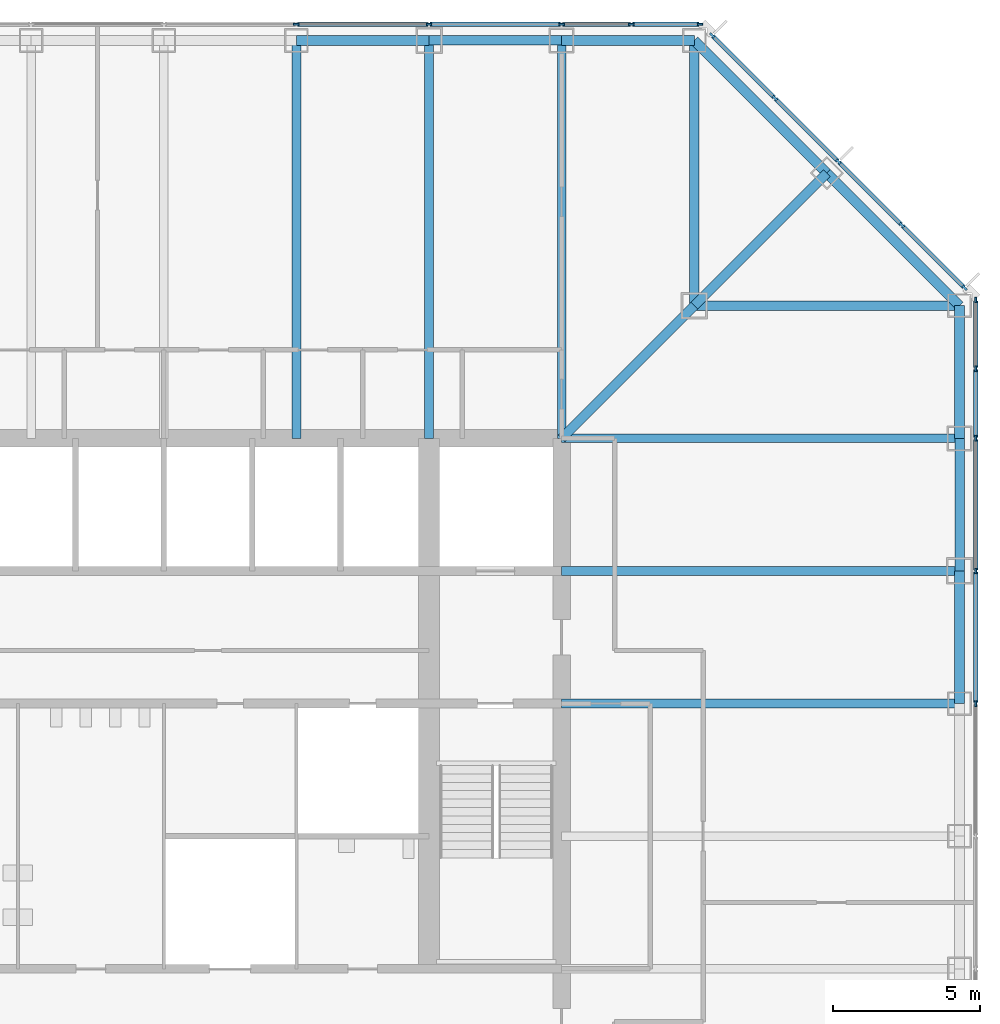
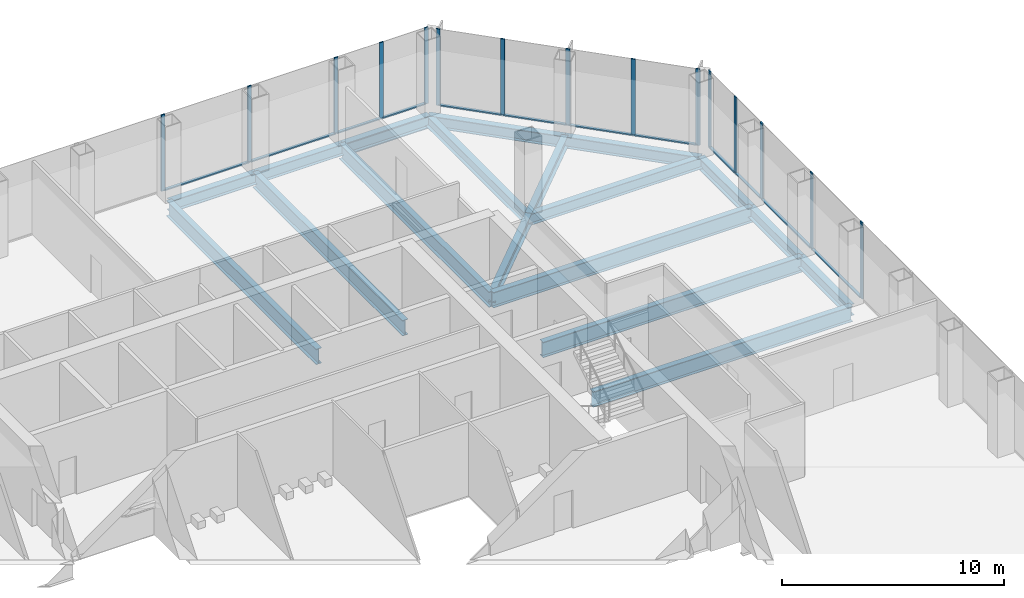
# One storey, part 6 of 13: 27 members, 18 beams, 3 elements without a shape of their own.
"""IFC4 building model written with IfcOpenShell, lengths in metres."""

from ifc_helpers import new_model, si_unit, direction, frame, origin, origin_2d, place, context, subcontext, project, spatial, rectangle, i_section, extrude, material, material_profile, profile_set, type_object, element, aggregate, save


model = new_model("IFC4")

# Units and contexts
model_context = context("Model", 3, precision=1e-05, world=origin(), true_north=direction((0.0, 1.0)))
body_context = subcontext(model_context, "Body", "Model", "MODEL_VIEW")
ifc_project = project(units=[si_unit("LENGTHUNIT", "METRE"), si_unit("AREAUNIT", "SQUARE_METRE"), si_unit("VOLUMEUNIT", "CUBIC_METRE"), si_unit("PLANEANGLEUNIT", "RADIAN"), si_unit("MASSUNIT", "GRAM", prefix="KILO")], contexts=[model_context])

# Site, building, storey
site_placement = place(None, origin())
site = spatial("IfcSite", under=ifc_project, at=site_placement, CompositionType="ELEMENT")
building_placement = place(site_placement, origin())
building = spatial("IfcBuilding", under=site, at=building_placement, Name="Corais Broadcast Tower", CompositionType="ELEMENT")
storey_placement = place(building_placement, frame((0.0, 0.0, 66.800048828125)))
storey = spatial("IfcBuildingStorey", under=building, at=storey_placement, Name="L14", CompositionType="ELEMENT", Elevation=66.800048828125)

# Beams
ifc_material_1 = material(Name="Steel ASTM A572 Grade 50", Category="steel")
ifc_material_profile_1 = material_profile(ifc_material_1, i_section(OverallWidth=0.323974609375, OverallDepth=0.611083984375, WebThickness=0.0126953125, FlangeThickness=0.01904296875, at=origin_2d()), Name="W610x155")
ifc_profile_set_1 = profile_set([ifc_material_profile_1], Name="Steel ASTM A572 Grade 50")
beam_type_1 = type_object("IfcBeamType", Name="Chamfer tie W610x155", PredefinedType="BEAM", material=ifc_profile_set_1)
beam_1_placement = place(storey_placement, frame((49.5, 49.5, -0.465576171875), z_axis=(-0.707106781187, -0.707106781187, 0.0), x_axis=(0.707106781187, -0.707106781187, 0.0)))
element("IfcBeam", 1, at=beam_1_placement, inside=storey, type_object=beam_type_1, Name="B5 M/14 to L/13", PredefinedType="BEAM", context=body_context, shape_type="SweptSolid", body=[
    extrude(i_section(OverallWidth=0.323974609375, OverallDepth=0.611083984375, WebThickness=0.0126953125, FlangeThickness=0.01904296875, at=origin_2d()), origin(), (0.0, 0.0, 1.0), 6.364013671875),
])
ifc_material_2 = material(Name="Steel ASTM A572 Grade 50", Category="steel")
ifc_material_profile_2 = material_profile(ifc_material_2, i_section(OverallWidth=0.323974609375, OverallDepth=0.611083984375, WebThickness=0.0126953125, FlangeThickness=0.01904296875, at=origin_2d()), Name="W610x155")
ifc_profile_set_2 = profile_set([ifc_material_profile_2], Name="Steel ASTM A572 Grade 50")
beam_type_2 = type_object("IfcBeamType", Name="Corner diagonal W610x155", PredefinedType="BEAM", material=ifc_profile_set_2)
beam_2_placement = place(storey_placement, frame((45.0, 45.0, -0.465576171875), z_axis=(-0.707106781187, -0.707106781187, 0.0), x_axis=(0.707106781187, -0.707106781187, 0.0)))
element("IfcBeam", 2, at=beam_2_placement, inside=storey, type_object=beam_type_2, Name="B6 L/13 to K/12", PredefinedType="BEAM", context=body_context, shape_type="SweptSolid", body=[
    extrude(i_section(OverallWidth=0.323974609375, OverallDepth=0.611083984375, WebThickness=0.0126953125, FlangeThickness=0.01904296875, at=origin_2d()), origin(), (0.0, 0.0, 1.0), 6.364013671875),
])
ifc_material_3 = material(Name="Steel ASTM A572 Grade 50", Category="steel")
ifc_material_profile_3 = material_profile(ifc_material_3, i_section(OverallWidth=0.323974609375, OverallDepth=0.611083984375, WebThickness=0.0126953125, FlangeThickness=0.01904296875, at=origin_2d()), Name="W610x155")
ifc_profile_set_3 = profile_set([ifc_material_profile_3], Name="Steel ASTM A572 Grade 50")
beam_type_3 = type_object("IfcBeamType", Name="Corner girder W610x155", PredefinedType="BEAM", material=ifc_profile_set_3)
for number, where, z_axis, x_axis, name in (
    (3, (45.0, 54.0, -0.465576171875), (0.0, -1.0, 0.0), (1.0, 0.0, 0.0), "B4 N/13 to L/13"),
    (4, (54.0, 45.0, -0.465576171875), (-1.0, 0.0, 0.0), (0.0, -1.0, 0.0), "B4 L/15 to L/13"),
):
    element("IfcBeam", number, at=place(storey_placement, frame(where, z_axis=z_axis, x_axis=x_axis)), inside=storey, type_object=beam_type_3, Name=name, PredefinedType="BEAM", context=body_context, shape_type="SweptSolid", body=[
        extrude(i_section(OverallWidth=0.323974609375, OverallDepth=0.611083984375, WebThickness=0.0126953125, FlangeThickness=0.01904296875, at=origin_2d()), origin(), (0.0, 0.0, 1.0), 9.0),
    ])
ifc_material_4 = material(Name="Steel ASTM A572 Grade 50", Category="steel")
ifc_material_profile_4 = material_profile(ifc_material_4, i_section(OverallWidth=0.337890625, OverallDepth=0.677978515625, WebThickness=0.029541015625, FlangeThickness=0.052978515625, at=origin_2d()), Name="W610x415")
ifc_profile_set_4 = profile_set([ifc_material_profile_4], Name="Steel ASTM A572 Grade 50")
beam_type_4 = type_object("IfcBeamType", Name="Corner spandrel W610x415", PredefinedType="BEAM", material=ifc_profile_set_4)
for number, where, z_axis, x_axis, name in (
    (5, (45.0, 54.0, -0.4990234375), (-1.0, 0.0, 0.0), (0.0, -1.0, 0.0), "SB10 N/13 to N/12"),
    (6, (54.0, 40.5, -0.4990234375), (0.0, 1.0, 0.0), (-1.0, 0.0, 0.0), "SB10 K/15 to L/15"),
):
    element("IfcBeam", number, at=place(storey_placement, frame(where, z_axis=z_axis, x_axis=x_axis)), inside=storey, type_object=beam_type_4, Name=name, PredefinedType="BEAM", context=body_context, shape_type="SweptSolid", body=[
        extrude(i_section(OverallWidth=0.337890625, OverallDepth=0.677978515625, WebThickness=0.029541015625, FlangeThickness=0.052978515625, at=origin_2d()), origin(), (0.0, 0.0, 1.0), 4.5),
    ])
ifc_material_5 = material(Name="Steel ASTM A572 Grade 50", Category="steel")
ifc_material_profile_5 = material_profile(ifc_material_5, i_section(OverallWidth=0.2939453125, OverallDepth=0.85107421875, WebThickness=0.01611328125, FlangeThickness=0.02685546875, at=origin_2d()), Name="W840x226")
ifc_profile_set_5 = profile_set([ifc_material_profile_5], Name="Steel ASTM A572 Grade 50")
beam_type_5 = type_object("IfcBeamType", Name="Floor beam W840x226", PredefinedType="BEAM", material=ifc_profile_set_5)
for number, where, z_axis, x_axis, name in (
    (7, (31.5, 54.0, -0.58544921875), (0.0, -1.0, 0.0), (1.0, 0.0, 0.0), "B1 N/10 to K/10"),
    (8, (36.0, 54.0, -0.58544921875), (0.0, -1.0, 0.0), (1.0, 0.0, 0.0), "B1 N/11 to K/11"),
    (9, (40.5, 54.0, -0.58544921875), (0.0, -1.0, 0.0), (1.0, 0.0, 0.0), "B1 N/12 to K/12"),
    (10, (54.0, 31.5, -0.58544921875), (-1.0, 0.0, 0.0), (0.0, -1.0, 0.0), "B1 H/15 to H/12"),
    (11, (54.0, 36.0, -0.58544921875), (-1.0, 0.0, 0.0), (0.0, -1.0, 0.0), "B1 J/15 to J/12"),
    (12, (54.0, 40.5, -0.58544921875), (-1.0, 0.0, 0.0), (0.0, -1.0, 0.0), "B1 K/15 to K/12"),
):
    element("IfcBeam", number, at=place(storey_placement, frame(where, z_axis=z_axis, x_axis=x_axis)), inside=storey, type_object=beam_type_5, Name=name, PredefinedType="BEAM", context=body_context, shape_type="SweptSolid", body=[
        extrude(i_section(OverallWidth=0.2939453125, OverallDepth=0.85107421875, WebThickness=0.01611328125, FlangeThickness=0.02685546875, at=origin_2d()), origin(), (0.0, 0.0, 1.0), 13.5),
    ])

# Curtain wall, members
ifc_material_6 = material(Name="Aluminium and glass", Category="aluminium")
curtain_wall_type = type_object("IfcCurtainWallType", Name="Unitised fritted curtain wall CW1", PredefinedType="NOTDEFINED", material=ifc_material_6)
curtain_wall_1_placement = place(storey_placement, origin())
curtain_wall_1 = element("IfcCurtainWall", 13, at=curtain_wall_1_placement, inside=storey, type_object=curtain_wall_type, Name="CW1 curtain wall L14 4", PredefinedType="NOTDEFINED")
ifc_material_7 = material(Name="Aluminium 6063-T6", Category="aluminium")
ifc_material_profile_6 = material_profile(ifc_material_7, rectangle(XDim=0.06494140625, YDim=0.199951171875, at=origin_2d()), Name="Mullion CW1 65x200")
ifc_profile_set_6 = profile_set([ifc_material_profile_6], Name="Aluminium 6063-T6")
member_type_1 = type_object("IfcMemberType", Name="Mullion CW1 65x200", PredefinedType="MULLION", material=ifc_profile_set_6)
member_1_placement = place(storey_placement, frame((31.5, 54.550048828125, 0.0), z_axis=(0.0, 0.0, 1.0), x_axis=(0.0, 1.0, 0.0)))
member_1 = element("IfcMember", 14, at=member_1_placement, type_object=member_type_1, Name="CW1 mullion 7", PredefinedType="MULLION", context=body_context, shape_type="SweptSolid", body=[
    extrude(rectangle(XDim=0.06494140625, YDim=0.199951171875, at=origin_2d()), origin(), (0.0, 0.0, 1.0), 4.199951171875),
])
member_2_placement = place(storey_placement, frame((36.0, 54.550048828125, 0.0), z_axis=(0.0, 0.0, 1.0), x_axis=(0.0, 1.0, 0.0)))
member_2 = element("IfcMember", 15, at=member_2_placement, type_object=member_type_1, Name="CW1 mullion 8", PredefinedType="MULLION", context=body_context, shape_type="SweptSolid", body=[
    extrude(rectangle(XDim=0.06494140625, YDim=0.199951171875, at=origin_2d()), origin(), (0.0, 0.0, 1.0), 4.199951171875),
])
member_3_placement = place(storey_placement, frame((40.5, 54.550048828125, 0.0), z_axis=(0.0, 0.0, 1.0), x_axis=(0.0, 1.0, 0.0)))
member_3 = element("IfcMember", 16, at=member_3_placement, type_object=member_type_1, Name="CW1 mullion 9", PredefinedType="MULLION", context=body_context, shape_type="SweptSolid", body=[
    extrude(rectangle(XDim=0.06494140625, YDim=0.199951171875, at=origin_2d()), origin(), (0.0, 0.0, 1.0), 4.199951171875),
])
member_4_placement = place(storey_placement, frame((42.864013671875, 54.550048828125, 0.0), z_axis=(0.0, 0.0, 1.0), x_axis=(0.0, 1.0, 0.0)))
member_4 = element("IfcMember", 17, at=member_4_placement, type_object=member_type_1, Name="CW1 mullion 10", PredefinedType="MULLION", context=body_context, shape_type="SweptSolid", body=[
    extrude(rectangle(XDim=0.06494140625, YDim=0.199951171875, at=origin_2d()), origin(), (0.0, 0.0, 1.0), 4.199951171875),
])
member_5_placement = place(storey_placement, frame((45.1953125, 54.550048828125, 0.0), z_axis=(0.0, 0.0, 1.0), x_axis=(0.0, 1.0, 0.0)))
member_5 = element("IfcMember", 18, at=member_5_placement, type_object=member_type_1, Name="CW1 mullion 11", PredefinedType="MULLION", context=body_context, shape_type="SweptSolid", body=[
    extrude(rectangle(XDim=0.06494140625, YDim=0.199951171875, at=origin_2d()), origin(), (0.0, 0.0, 1.0), 4.199951171875),
])

curtain_wall_2_placement = place(storey_placement, origin())
curtain_wall_2 = element("IfcCurtainWall", 19, at=curtain_wall_2_placement, inside=storey, type_object=curtain_wall_type, Name="CW1 curtain wall L14 5", PredefinedType="NOTDEFINED")
member_6_placement = place(storey_placement, frame((45.6044921875, 54.17333984375, 0.0), z_axis=(0.0, 0.0, 1.0), x_axis=(0.707106781187, 0.707106781187, 0.0)))
member_6 = element("IfcMember", 20, at=member_6_placement, type_object=member_type_1, Name="CW1 mullion 1", PredefinedType="MULLION", context=body_context, shape_type="SweptSolid", body=[
    extrude(rectangle(XDim=0.06494140625, YDim=0.199951171875, at=origin_2d()), origin(), (0.0, 0.0, 1.0), 4.199951171875),
])
member_7_placement = place(storey_placement, frame((47.735107421875, 52.042724609375, 0.0), z_axis=(0.0, 0.0, 1.0), x_axis=(0.707106781187, 0.707106781187, 0.0)))
member_7 = element("IfcMember", 21, at=member_7_placement, type_object=member_type_1, Name="CW1 mullion 2", PredefinedType="MULLION", context=body_context, shape_type="SweptSolid", body=[
    extrude(rectangle(XDim=0.06494140625, YDim=0.199951171875, at=origin_2d()), origin(), (0.0, 0.0, 1.0), 4.199951171875),
])
member_8_placement = place(storey_placement, frame((49.888916015625, 49.888916015625, 0.0), z_axis=(0.0, 0.0, 1.0), x_axis=(0.707106781187, 0.707106781187, 0.0)))
member_8 = element("IfcMember", 22, at=member_8_placement, type_object=member_type_1, Name="CW1 mullion 3", PredefinedType="MULLION", context=body_context, shape_type="SweptSolid", body=[
    extrude(rectangle(XDim=0.06494140625, YDim=0.199951171875, at=origin_2d()), origin(), (0.0, 0.0, 1.0), 4.199951171875),
])
member_9_placement = place(storey_placement, frame((52.042724609375, 47.735107421875, 0.0), z_axis=(0.0, 0.0, 1.0), x_axis=(0.707106781187, 0.707106781187, 0.0)))
member_9 = element("IfcMember", 23, at=member_9_placement, type_object=member_type_1, Name="CW1 mullion 4", PredefinedType="MULLION", context=body_context, shape_type="SweptSolid", body=[
    extrude(rectangle(XDim=0.06494140625, YDim=0.199951171875, at=origin_2d()), origin(), (0.0, 0.0, 1.0), 4.199951171875),
])
member_10_placement = place(storey_placement, frame((54.17333984375, 45.6044921875, 0.0), z_axis=(0.0, 0.0, 1.0), x_axis=(0.707106781187, 0.707106781187, 0.0)))
member_10 = element("IfcMember", 24, at=member_10_placement, type_object=member_type_1, Name="CW1 mullion 5", PredefinedType="MULLION", context=body_context, shape_type="SweptSolid", body=[
    extrude(rectangle(XDim=0.06494140625, YDim=0.199951171875, at=origin_2d()), origin(), (0.0, 0.0, 1.0), 4.199951171875),
])

curtain_wall_3_placement = place(storey_placement, origin())
curtain_wall_3 = element("IfcCurtainWall", 25, at=curtain_wall_3_placement, inside=storey, type_object=curtain_wall_type, Name="CW1 curtain wall L14 6", PredefinedType="NOTDEFINED")
member_11_placement = place(storey_placement, frame((54.550048828125, 45.1953125, 0.0), z_axis=(0.0, 0.0, 1.0), x_axis=(1.0, 0.0, 0.0)))
member_11 = element("IfcMember", 26, at=member_11_placement, type_object=member_type_1, Name="CW1 mullion 1", PredefinedType="MULLION", context=body_context, shape_type="SweptSolid", body=[
    extrude(rectangle(XDim=0.06494140625, YDim=0.199951171875, at=origin_2d()), origin(), (0.0, 0.0, 1.0), 4.199951171875),
])
member_12_placement = place(storey_placement, frame((54.550048828125, 42.864013671875, 0.0), z_axis=(0.0, 0.0, 1.0), x_axis=(1.0, 0.0, 0.0)))
member_12 = element("IfcMember", 27, at=member_12_placement, type_object=member_type_1, Name="CW1 mullion 2", PredefinedType="MULLION", context=body_context, shape_type="SweptSolid", body=[
    extrude(rectangle(XDim=0.06494140625, YDim=0.199951171875, at=origin_2d()), origin(), (0.0, 0.0, 1.0), 4.199951171875),
])
member_13_placement = place(storey_placement, frame((54.550048828125, 40.5, 0.0), z_axis=(0.0, 0.0, 1.0), x_axis=(1.0, 0.0, 0.0)))
member_13 = element("IfcMember", 28, at=member_13_placement, type_object=member_type_1, Name="CW1 mullion 3", PredefinedType="MULLION", context=body_context, shape_type="SweptSolid", body=[
    extrude(rectangle(XDim=0.06494140625, YDim=0.199951171875, at=origin_2d()), origin(), (0.0, 0.0, 1.0), 4.199951171875),
])
member_14_placement = place(storey_placement, frame((54.550048828125, 36.0, 0.0), z_axis=(0.0, 0.0, 1.0), x_axis=(1.0, 0.0, 0.0)))
member_14 = element("IfcMember", 29, at=member_14_placement, type_object=member_type_1, Name="CW1 mullion 4", PredefinedType="MULLION", context=body_context, shape_type="SweptSolid", body=[
    extrude(rectangle(XDim=0.06494140625, YDim=0.199951171875, at=origin_2d()), origin(), (0.0, 0.0, 1.0), 4.199951171875),
])
member_15_placement = place(storey_placement, frame((54.550048828125, 31.5, 0.0), z_axis=(0.0, 0.0, 1.0), x_axis=(1.0, 0.0, 0.0)))
member_15 = element("IfcMember", 30, at=member_15_placement, type_object=member_type_1, Name="CW1 mullion 5", PredefinedType="MULLION", context=body_context, shape_type="SweptSolid", body=[
    extrude(rectangle(XDim=0.06494140625, YDim=0.199951171875, at=origin_2d()), origin(), (0.0, 0.0, 1.0), 4.199951171875),
])

# Beams
ifc_material_8 = material(Name="Steel ASTM A572 Grade 50", Category="steel")
ifc_material_profile_7 = material_profile(ifc_material_8, i_section(OverallWidth=0.323974609375, OverallDepth=0.611083984375, WebThickness=0.0126953125, FlangeThickness=0.01904296875, at=origin_2d()), Name="W610x155")
ifc_profile_set_7 = profile_set([ifc_material_profile_7], Name="Steel ASTM A572 Grade 50")
beam_type_6 = type_object("IfcBeamType", Name="Pinned spandrel W610x155", PredefinedType="BEAM", material=ifc_profile_set_7)
for number, where, z_axis, x_axis, name in (
    (31, (40.5, 54.0, -0.465576171875), (-1.0, 0.0, 0.0), (0.0, -1.0, 0.0), "SB6 N/12 to N/11"),
    (32, (54.0, 36.0, -0.465576171875), (0.0, 1.0, 0.0), (-1.0, 0.0, 0.0), "SB6 J/15 to K/15"),
):
    element("IfcBeam", number, at=place(storey_placement, frame(where, z_axis=z_axis, x_axis=x_axis)), inside=storey, type_object=beam_type_6, Name=name, PredefinedType="BEAM", context=body_context, shape_type="SweptSolid", body=[
        extrude(i_section(OverallWidth=0.323974609375, OverallDepth=0.611083984375, WebThickness=0.0126953125, FlangeThickness=0.01904296875, at=origin_2d()), origin(), (0.0, 0.0, 1.0), 4.5),
    ])
ifc_material_9 = material(Name="Steel ASTM A572 Grade 50", Category="steel")
ifc_material_profile_8 = material_profile(ifc_material_9, i_section(OverallWidth=0.3291015625, OverallDepth=0.635009765625, WebThickness=0.017822265625, FlangeThickness=0.031005859375, at=origin_2d()), Name="W610x241")
ifc_profile_set_8 = profile_set([ifc_material_profile_8], Name="Steel ASTM A572 Grade 50")
beam_type_7 = type_object("IfcBeamType", Name="Spandrel W610x241", PredefinedType="BEAM", material=ifc_profile_set_8)
beam_3_placement = place(storey_placement, frame((36.0, 54.0, -0.4775390625), z_axis=(-1.0, 0.0, 0.0), x_axis=(0.0, -1.0, 0.0)))
element("IfcBeam", 33, at=beam_3_placement, inside=storey, type_object=beam_type_7, Name="SB1 N/11 to N/10", PredefinedType="BEAM", context=body_context, shape_type="SweptSolid", body=[
    extrude(i_section(OverallWidth=0.3291015625, OverallDepth=0.635009765625, WebThickness=0.017822265625, FlangeThickness=0.031005859375, at=origin_2d()), origin(), (0.0, 0.0, 1.0), 4.5),
])
beam_4_placement = place(storey_placement, frame((49.5, 49.5, -0.4775390625), z_axis=(-0.707106781187, 0.707106781187, 0.0), x_axis=(-0.707106781187, -0.707106781187, 0.0)))
element("IfcBeam", 34, at=beam_4_placement, inside=storey, type_object=beam_type_7, Name="SB1 M/14 to N/13", PredefinedType="BEAM", context=body_context, shape_type="SweptSolid", body=[
    extrude(i_section(OverallWidth=0.3291015625, OverallDepth=0.635009765625, WebThickness=0.017822265625, FlangeThickness=0.031005859375, at=origin_2d()), origin(), (0.0, 0.0, 1.0), 6.364013671875),
])
beam_5_placement = place(storey_placement, frame((54.0, 31.5, -0.4775390625), z_axis=(0.0, 1.0, 0.0), x_axis=(-1.0, 0.0, 0.0)))
element("IfcBeam", 35, at=beam_5_placement, inside=storey, type_object=beam_type_7, Name="SB1 H/15 to J/15", PredefinedType="BEAM", context=body_context, shape_type="SweptSolid", body=[
    extrude(i_section(OverallWidth=0.3291015625, OverallDepth=0.635009765625, WebThickness=0.017822265625, FlangeThickness=0.031005859375, at=origin_2d()), origin(), (0.0, 0.0, 1.0), 4.5),
])
beam_6_placement = place(storey_placement, frame((54.0, 45.0, -0.4775390625), z_axis=(-0.707106781187, 0.707106781187, 0.0), x_axis=(-0.707106781187, -0.707106781187, 0.0)))
element("IfcBeam", 36, at=beam_6_placement, inside=storey, type_object=beam_type_7, Name="SB1 L/15 to M/14", PredefinedType="BEAM", context=body_context, shape_type="SweptSolid", body=[
    extrude(i_section(OverallWidth=0.3291015625, OverallDepth=0.635009765625, WebThickness=0.017822265625, FlangeThickness=0.031005859375, at=origin_2d()), origin(), (0.0, 0.0, 1.0), 6.364013671875),
])

# Member
ifc_material_10 = material(Name="Aluminium 6063-T6", Category="aluminium")
ifc_material_profile_9 = material_profile(ifc_material_10, rectangle(XDim=0.139892578125, YDim=0.06494140625, at=origin_2d()), Name="Transom CW1 65x140")
ifc_profile_set_9 = profile_set([ifc_material_profile_9], Name="Aluminium 6063-T6")
member_type_2 = type_object("IfcMemberType", Name="Transom CW1 65x140", PredefinedType="USERDEFINED", material=ifc_profile_set_9)
member_16_placement = place(storey_placement, frame((31.532470703125, 54.550048828125, 0.032470703125), z_axis=(1.0, 0.0, 0.0), x_axis=(0.0, 1.0, 0.0)))
member_16 = element("IfcMember", 37, at=member_16_placement, type_object=member_type_2, Name="CW1 transom 7.1", ObjectType="TRANSOM", PredefinedType="USERDEFINED", context=body_context, shape_type="SweptSolid", body=[
    extrude(rectangle(XDim=0.139892578125, YDim=0.06494140625, at=origin_2d()), origin(), (0.0, 0.0, 1.0), 4.43505859375),
])

member_17_placement = place(storey_placement, frame((36.032470703125, 54.550048828125, 0.032470703125), z_axis=(1.0, 0.0, 0.0), x_axis=(0.0, 1.0, 0.0)))
member_17 = element("IfcMember", 38, at=member_17_placement, type_object=member_type_2, Name="CW1 transom 8.1", ObjectType="TRANSOM", PredefinedType="USERDEFINED", context=body_context, shape_type="SweptSolid", body=[
    extrude(rectangle(XDim=0.139892578125, YDim=0.06494140625, at=origin_2d()), origin(), (0.0, 0.0, 1.0), 4.43505859375),
])

member_18_placement = place(storey_placement, frame((40.532470703125, 54.550048828125, 0.032470703125), z_axis=(1.0, 0.0, 0.0), x_axis=(0.0, 1.0, 0.0)))
member_18 = element("IfcMember", 39, at=member_18_placement, type_object=member_type_2, Name="CW1 transom 9.1", ObjectType="TRANSOM", PredefinedType="USERDEFINED", context=body_context, shape_type="SweptSolid", body=[
    extrude(rectangle(XDim=0.139892578125, YDim=0.06494140625, at=origin_2d()), origin(), (0.0, 0.0, 1.0), 2.298828125),
])

member_19_placement = place(storey_placement, frame((42.896484375, 54.550048828125, 0.032470703125), z_axis=(1.0, 0.0, 0.0), x_axis=(0.0, 1.0, 0.0)))
member_19 = element("IfcMember", 40, at=member_19_placement, type_object=member_type_2, Name="CW1 transom 10.1", ObjectType="TRANSOM", PredefinedType="USERDEFINED", context=body_context, shape_type="SweptSolid", body=[
    extrude(rectangle(XDim=0.139892578125, YDim=0.06494140625, at=origin_2d()), origin(), (0.0, 0.0, 1.0), 2.266357421875),
])

aggregate(curtain_wall_1, [member_1, member_2, member_3, member_4, member_5, member_16, member_17, member_18, member_19])

member_20_placement = place(storey_placement, frame((45.62744140625, 54.150390625, 0.032470703125), z_axis=(0.707106781187, -0.707106781187, 0.0), x_axis=(0.707106781187, 0.707106781187, 0.0)))
member_20 = element("IfcMember", 41, at=member_20_placement, type_object=member_type_2, Name="CW1 transom 1.1", ObjectType="TRANSOM", PredefinedType="USERDEFINED", context=body_context, shape_type="SweptSolid", body=[
    extrude(rectangle(XDim=0.139892578125, YDim=0.06494140625, at=origin_2d()), origin(), (0.0, 0.0, 1.0), 2.9482421875),
])

member_21_placement = place(storey_placement, frame((47.758056640625, 52.019775390625, 0.032470703125), z_axis=(0.707106781187, -0.707106781187, 0.0), x_axis=(0.707106781187, 0.707106781187, 0.0)))
member_21 = element("IfcMember", 42, at=member_21_placement, type_object=member_type_2, Name="CW1 transom 2.1", ObjectType="TRANSOM", PredefinedType="USERDEFINED", context=body_context, shape_type="SweptSolid", body=[
    extrude(rectangle(XDim=0.139892578125, YDim=0.06494140625, at=origin_2d()), origin(), (0.0, 0.0, 1.0), 2.98095703125),
])

member_22_placement = place(storey_placement, frame((49.911865234375, 49.865966796875, 0.032470703125), z_axis=(0.707106781187, -0.707106781187, 0.0), x_axis=(0.707106781187, 0.707106781187, 0.0)))
member_22 = element("IfcMember", 43, at=member_22_placement, type_object=member_type_2, Name="CW1 transom 3.1", ObjectType="TRANSOM", PredefinedType="USERDEFINED", context=body_context, shape_type="SweptSolid", body=[
    extrude(rectangle(XDim=0.139892578125, YDim=0.06494140625, at=origin_2d()), origin(), (0.0, 0.0, 1.0), 2.98095703125),
])

member_23_placement = place(storey_placement, frame((52.065673828125, 47.712158203125, 0.032470703125), z_axis=(0.707106781187, -0.707106781187, 0.0), x_axis=(0.707106781187, 0.707106781187, 0.0)))
member_23 = element("IfcMember", 44, at=member_23_placement, type_object=member_type_2, Name="CW1 transom 4.1", ObjectType="TRANSOM", PredefinedType="USERDEFINED", context=body_context, shape_type="SweptSolid", body=[
    extrude(rectangle(XDim=0.139892578125, YDim=0.06494140625, at=origin_2d()), origin(), (0.0, 0.0, 1.0), 2.9482421875),
])

aggregate(curtain_wall_2, [member_6, member_7, member_8, member_9, member_10, member_20, member_21, member_22, member_23])

member_24_placement = place(storey_placement, frame((54.550048828125, 45.162841796875, 0.032470703125), z_axis=(0.0, -1.0, 0.0), x_axis=(1.0, 0.0, 0.0)))
member_24 = element("IfcMember", 45, at=member_24_placement, type_object=member_type_2, Name="CW1 transom 1.1", ObjectType="TRANSOM", PredefinedType="USERDEFINED", context=body_context, shape_type="SweptSolid", body=[
    extrude(rectangle(XDim=0.139892578125, YDim=0.06494140625, at=origin_2d()), origin(), (0.0, 0.0, 1.0), 2.266357421875),
])

member_25_placement = place(storey_placement, frame((54.550048828125, 42.831298828125, 0.032470703125), z_axis=(0.0, -1.0, 0.0), x_axis=(1.0, 0.0, 0.0)))
member_25 = element("IfcMember", 46, at=member_25_placement, type_object=member_type_2, Name="CW1 transom 2.1", ObjectType="TRANSOM", PredefinedType="USERDEFINED", context=body_context, shape_type="SweptSolid", body=[
    extrude(rectangle(XDim=0.139892578125, YDim=0.06494140625, at=origin_2d()), origin(), (0.0, 0.0, 1.0), 2.298828125),
])

member_26_placement = place(storey_placement, frame((54.550048828125, 40.467529296875, 0.032470703125), z_axis=(0.0, -1.0, 0.0), x_axis=(1.0, 0.0, 0.0)))
member_26 = element("IfcMember", 47, at=member_26_placement, type_object=member_type_2, Name="CW1 transom 3.1", ObjectType="TRANSOM", PredefinedType="USERDEFINED", context=body_context, shape_type="SweptSolid", body=[
    extrude(rectangle(XDim=0.139892578125, YDim=0.06494140625, at=origin_2d()), origin(), (0.0, 0.0, 1.0), 4.43505859375),
])

member_27_placement = place(storey_placement, frame((54.550048828125, 35.967529296875, 0.032470703125), z_axis=(0.0, -1.0, 0.0), x_axis=(1.0, 0.0, 0.0)))
member_27 = element("IfcMember", 48, at=member_27_placement, type_object=member_type_2, Name="CW1 transom 4.1", ObjectType="TRANSOM", PredefinedType="USERDEFINED", context=body_context, shape_type="SweptSolid", body=[
    extrude(rectangle(XDim=0.139892578125, YDim=0.06494140625, at=origin_2d()), origin(), (0.0, 0.0, 1.0), 4.43505859375),
])

aggregate(curtain_wall_3, [member_11, member_12, member_13, member_14, member_15, member_24, member_25, member_26, member_27])

save(model, "model.ifc")
